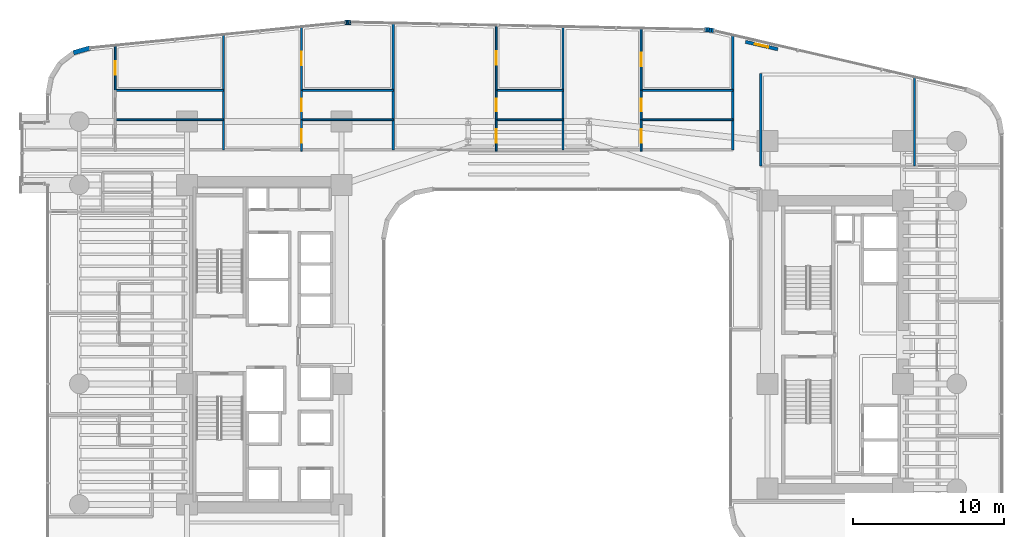
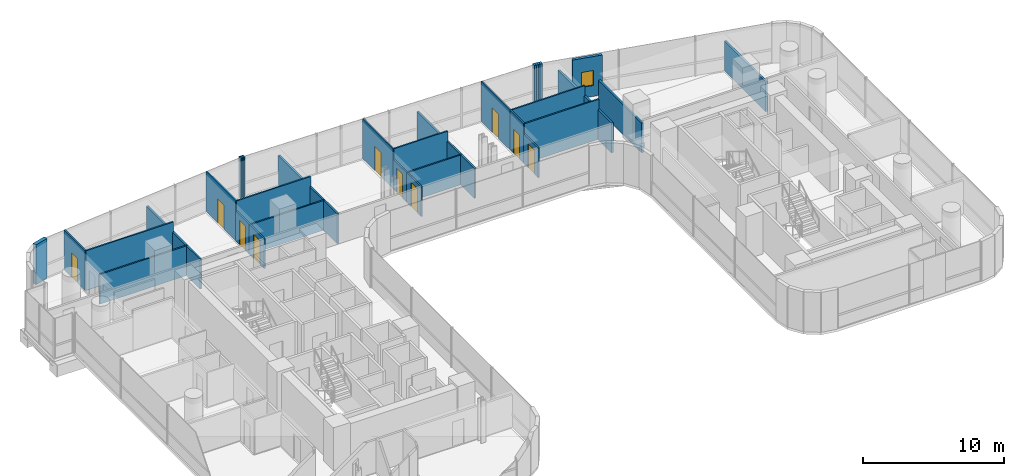
# One storey, part 35 of 42: 34 walls, 10 doors, 1 window, 11 openings.
"""IFC4 building model written with IfcOpenShell, lengths in metres."""

from ifc_helpers import new_model, si_unit, direction, frame, frame_2d, origin, place, context, subcontext, project, spatial, rectangle, extrude, material, layer, layer_set, type_object, element, fill, save


model = new_model("IFC4")

# Units and contexts
model_context = context("Model", 3, precision=1e-05, world=origin(), true_north=direction((0.0, 1.0)))
body_context = subcontext(model_context, "Body", "Model", "MODEL_VIEW")
ifc_project = project(units=[si_unit("LENGTHUNIT", "METRE"), si_unit("AREAUNIT", "SQUARE_METRE"), si_unit("VOLUMEUNIT", "CUBIC_METRE"), si_unit("PLANEANGLEUNIT", "RADIAN"), si_unit("MASSUNIT", "GRAM", prefix="KILO")], contexts=[model_context])

# Site, building, storey
site_placement = place(None, origin())
site = spatial("IfcSite", under=ifc_project, at=site_placement, CompositionType="ELEMENT")
building_placement = place(site_placement, origin())
building = spatial("IfcBuilding", under=site, at=building_placement, Name="Valdorenza Pilgrim Sanctuary Tower", CompositionType="ELEMENT")
storey_placement = place(building_placement, frame((0.0, 0.0, 55.60009765625)))
storey = spatial("IfcBuildingStorey", under=building, at=storey_placement, Name="L13", CompositionType="ELEMENT", Elevation=55.60009765625)

# Walls
ifc_material_1 = material(Name="Acoustic twin-stud gypsum partition", Category="gypsum")
ifc_layer_1 = layer(ifc_material_1, 0.159912109375, Name="Acoustic twin-stud gypsum partition")
ifc_layer_set_1 = layer_set([ifc_layer_1], Name="Acoustic twin-stud gypsum partition")
wall_type_1 = type_object("IfcWallType", Name="WAL-COR-160", PredefinedType="PARTITIONING", material=ifc_layer_set_1)
wall_1_placement = place(storey_placement, frame((13.550048828125, 12.919921875, 0.0), z_axis=(0.0, 0.0, 1.0), x_axis=(0.0, 1.0, 0.0)))
element("IfcWall", 1, at=wall_1_placement, inside=storey, type_object=wall_type_1, Name="L13 North Band East Closure", PredefinedType="PARTITIONING", context=body_context, shape_type="SweptSolid", body=[
    extrude(rectangle(XDim=7.609375, YDim=0.159912109375, at=frame_2d((3.8046875, 0.0))), origin(), (0.0, 0.0, 1.0), 2.5830078125),
])
wall_2_placement = place(storey_placement, frame((15.39990234375, 11.85009765625, 0.0), z_axis=(0.0, 0.0, 1.0), x_axis=(0.0, 1.0, 0.0)))
element("IfcWall", 2, at=wall_2_placement, inside=storey, type_object=wall_type_1, Name="L13 Wing B North West Wall", PredefinedType="PARTITIONING", context=body_context, shape_type="SweptSolid", body=[
    extrude(rectangle(XDim=6.14990234375, YDim=0.159912109375, at=frame_2d((3.074951171875, 0.0))), origin(), (0.0, 0.0, 1.0), 2.5830078125),
])
wall_3_placement = place(storey_placement, frame((25.60009765625, 11.85009765625, 0.0), z_axis=(0.0, 0.0, 1.0), x_axis=(0.0, 1.0, 0.0)))
element("IfcWall", 3, at=wall_3_placement, inside=storey, type_object=wall_type_1, Name="L13 Wing B North East Wall", PredefinedType="PARTITIONING", context=body_context, shape_type="SweptSolid", body=[
    extrude(rectangle(XDim=5.8984375, YDim=0.159912109375, at=frame_2d((2.94921875, 0.0))), origin(), (0.0, 0.0, 1.0), 2.5830078125),
])
ifc_material_2 = material(Name="Honed travertine limestone", Category="masonry")
ifc_layer_2 = layer(ifc_material_2, 0.300048828125, Name="Honed travertine limestone")
ifc_layer_set_2 = layer_set([ifc_layer_2], Name="Honed travertine limestone")
wall_type_2 = type_object("IfcWallType", Name="WAL-EXT-300", PredefinedType="SOLIDWALL", material=ifc_layer_set_2)
wall_4_placement = place(storey_placement, frame((-30.191650390625, 19.36083984375, 0.0), z_axis=(0.0, 0.0, 1.0), x_axis=(0.960071941549, 0.279753225271, 0.0)))
element("IfcWall", 4, at=wall_4_placement, inside=storey, type_object=wall_type_2, Name="L13 Rounded Wind-Corner Stone Pier 5", PredefinedType="SOLIDWALL", context=body_context, shape_type="SweptSolid", body=[
    extrude(rectangle(XDim=1.1396484375, YDim=0.300048828125, at=frame_2d((0.56982421875, 0.0))), origin(), (0.0, 0.0, 1.0), 3.4599609375),
])
wall_5_placement = place(storey_placement, frame((-12.181884765625, 21.371337890625, 0.0), z_axis=(0.0, 0.0, 1.0), x_axis=(0.996527790842, 0.08326080759, 0.0)))
element("IfcWall", 5, at=wall_5_placement, inside=storey, type_object=wall_type_2, Name="L13 Rounded Wind-Corner Stone Pier 7", PredefinedType="SOLIDWALL", context=body_context, shape_type="SweptSolid", body=[
    extrude(rectangle(XDim=0.09375, YDim=0.300048828125, at=frame_2d((0.046875, 0.0))), origin(), (0.0, 0.0, 1.0), 3.4599609375),
])
wall_6_placement = place(storey_placement, frame((-12.08837890625, 21.379150390625, 0.0), z_axis=(0.0, 0.0, 1.0), x_axis=(0.998476480444, 0.055178963393, 0.0)))
element("IfcWall", 6, at=wall_6_placement, inside=storey, type_object=wall_type_2, Name="L13 Rounded Wind-Corner Stone Pier 8", PredefinedType="SOLIDWALL", context=body_context, shape_type="SweptSolid", body=[
    extrude(rectangle(XDim=0.093017578125, YDim=0.300048828125, at=frame_2d((0.04638671875, 0.0))), origin(), (0.0, 0.0, 1.0), 3.4599609375),
])
wall_7_placement = place(storey_placement, frame((-11.99560546875, 21.38427734375, 0.0), z_axis=(0.0, 0.0, 1.0), x_axis=(0.999722573757, 0.023553673204, 0.0)))
element("IfcWall", 7, at=wall_7_placement, inside=storey, type_object=wall_type_2, Name="L13 Rounded Wind-Corner Stone Pier 9", PredefinedType="SOLIDWALL", context=body_context, shape_type="SweptSolid", body=[
    extrude(rectangle(XDim=0.09326171875, YDim=0.300048828125, at=frame_2d((0.046630859375, 0.0))), origin(), (0.0, 0.0, 1.0), 3.4599609375),
])
wall_8_placement = place(storey_placement, frame((-11.90234375, 21.386474609375, 0.0), z_axis=(0.0, 0.0, 1.0), x_axis=(0.999986507273, -0.005194735103, 0.0)))
element("IfcWall", 8, at=wall_8_placement, inside=storey, type_object=wall_type_2, Name="L13 Rounded Wind-Corner Stone Pier 10", PredefinedType="SOLIDWALL", context=body_context, shape_type="SweptSolid", body=[
    extrude(rectangle(XDim=0.093994140625, YDim=0.300048828125, at=frame_2d((0.046875, 0.0))), origin(), (0.0, 0.0, 1.0), 3.4599609375),
])
wall_9_placement = place(storey_placement, frame((11.665771484375, 20.89697265625, 0.0), z_axis=(0.0, 0.0, 1.0), x_axis=(0.998885297239, -0.047203421059, 0.0)))
element("IfcWall", 9, at=wall_9_placement, inside=storey, type_object=wall_type_2, Name="L13 Rounded Wind-Corner Stone Pier 12", PredefinedType="SOLIDWALL", context=body_context, shape_type="SweptSolid", body=[
    extrude(rectangle(XDim=0.160400390625, YDim=0.300048828125, at=frame_2d((0.080078125, 0.0))), origin(), (0.0, 0.0, 1.0), 3.4599609375),
])
wall_10_placement = place(storey_placement, frame((11.825927734375, 20.889404296875, 0.0), z_axis=(0.0, 0.0, 1.0), x_axis=(0.995172891136, -0.098137234257, 0.0)))
element("IfcWall", 10, at=wall_10_placement, inside=storey, type_object=wall_type_2, Name="L13 Rounded Wind-Corner Stone Pier 13", PredefinedType="SOLIDWALL", context=body_context, shape_type="SweptSolid", body=[
    extrude(rectangle(XDim=0.1591796875, YDim=0.300048828125, at=frame_2d((0.07958984375, 0.0))), origin(), (0.0, 0.0, 1.0), 3.4599609375),
])
wall_11_placement = place(storey_placement, frame((11.984375, 20.873779296875, 0.0), z_axis=(0.0, 0.0, 1.0), x_axis=(0.988846069207, -0.148941100486, 0.0)))
element("IfcWall", 11, at=wall_11_placement, inside=storey, type_object=wall_type_2, Name="L13 Rounded Wind-Corner Stone Pier 14", PredefinedType="SOLIDWALL", context=body_context, shape_type="SweptSolid", body=[
    extrude(rectangle(XDim=0.158935546875, YDim=0.300048828125, at=frame_2d((0.07958984375, 0.0))), origin(), (0.0, 0.0, 1.0), 3.4599609375),
])
wall_12_placement = place(storey_placement, frame((12.1416015625, 20.85009765625, 0.0), z_axis=(0.0, 0.0, 1.0), x_axis=(0.979991950448, -0.19903712482, 0.0)))
element("IfcWall", 12, at=wall_12_placement, inside=storey, type_object=wall_type_2, Name="L13 Rounded Wind-Corner Stone Pier 15", PredefinedType="SOLIDWALL", context=body_context, shape_type="SweptSolid", body=[
    extrude(rectangle(XDim=0.16064453125, YDim=0.300048828125, at=frame_2d((0.080322265625, 0.0))), origin(), (0.0, 0.0, 1.0), 3.4599609375),
])

# Wall, opening, window
wall_13_placement = place(storey_placement, frame((14.388671875, 20.089599609375, 0.0), z_axis=(0.0, 0.0, 1.0), x_axis=(0.974400545997, -0.224818984875, 0.0)))
wall_13 = element("IfcWall", 13, at=wall_13_placement, inside=storey, type_object=wall_type_2, Name="L13 Operable Ventilation Sash Jamb Pier", PredefinedType="SOLIDWALL", context=body_context, shape_type="SweptSolid", body=[
    extrude(rectangle(XDim=2.2001953125, YDim=0.219970703125, at=frame_2d((1.10009765625, 0.0))), origin(), (0.0, 0.0, 1.0), 3.4599609375),
])
opening_1_placement = place(wall_13_placement, frame((0.64990234375, 0.0, 0.949951171875)))
opening_1 = element("IfcOpeningElement", 14, at=opening_1_placement, cuts=wall_13, Name="Opening WN-OP1", PredefinedType="OPENING", context=body_context, shape_type="SweptSolid", body=[
    extrude(rectangle(XDim=0.89990234375, YDim=1.300048828125, at=frame_2d((0.449951171875, 0.64990234375))), frame((0.0, 0.125, 0.0), z_axis=(0.0, -1.0, 0.0), x_axis=(1.0, 0.0, 0.0)), (0.0, 0.0, 1.0), 0.249755859375),
])
ifc_material_3 = material(Name="Ceramic-fritted low-E IGU glazing", Category="glass")
window_type = type_object("IfcWindowType", Name="WIN-OPN-900", PartitioningType="SINGLE_PANEL", PredefinedType="WINDOW", material=ifc_material_3)
window_placement = place(opening_1_placement, origin())
window = element("IfcWindow", 15, at=window_placement, inside=storey, type_object=window_type, Name="L13 Parallel-Pop-Out Operable Facade Panel", OverallHeight=1.300048828125, OverallWidth=0.89990234375, PartitioningType="SINGLE_PANEL", PredefinedType="WINDOW", context=body_context, shape_type="SweptSolid", body=[
    extrude(rectangle(XDim=0.89990234375, YDim=1.300048828125, at=frame_2d((0.449951171875, 0.64990234375))), frame((0.0, 0.030029296875, 0.0), z_axis=(0.0, -1.0, 0.0), x_axis=(1.0, 0.0, 0.0)), (0.0, 0.0, 1.0), 0.06005859375),
])
fill(opening_1, window)

# Walls
ifc_material_4 = material(Name="Moisture-resistant gypsum partition", Category="gypsum")
ifc_layer_3 = layer(ifc_material_4, 0.1201171875, Name="Moisture-resistant gypsum partition")
ifc_layer_set_3 = layer_set([ifc_layer_3], Name="Moisture-resistant gypsum partition")
wall_type_3 = type_object("IfcWallType", Name="WAL-INT-120", PredefinedType="PARTITIONING", material=ifc_layer_set_3)
wall_14_placement = place(storey_placement, frame((-27.421142578125, 14.919921875, 0.0), z_axis=(0.0, 0.0, 1.0), x_axis=(1.0, 0.0, 0.0)))
element("IfcWall", 16, at=wall_14_placement, inside=storey, type_object=wall_type_3, Name="L13 North Sanctuary Apartment L13-N1 Bath-Kitchen Wall", PredefinedType="PARTITIONING", context=body_context, shape_type="SweptSolid", body=[
    extrude(rectangle(XDim=7.18310546875, YDim=0.1201171875, at=frame_2d((3.591552734375, 0.0))), origin(), (0.0, 0.0, 1.0), 2.5830078125),
])
wall_15_placement = place(storey_placement, frame((-27.421142578125, 16.8701171875, 0.0), z_axis=(0.0, 0.0, 1.0), x_axis=(1.0, 0.0, 0.0)))
element("IfcWall", 17, at=wall_15_placement, inside=storey, type_object=wall_type_3, Name="L13 North Sanctuary Apartment L13-N1 Kitchen-Bedroom Wall", PredefinedType="PARTITIONING", context=body_context, shape_type="SweptSolid", body=[
    extrude(rectangle(XDim=7.18310546875, YDim=0.1201171875, at=frame_2d((3.591552734375, 0.0))), origin(), (0.0, 0.0, 1.0), 3.4599609375),
])

# Wall, opening, door
wall_16_placement = place(storey_placement, frame((-27.421142578125, 16.8701171875, 0.0), z_axis=(0.0, 0.0, 1.0), x_axis=(0.0, 1.0, 0.0)))
wall_16 = element("IfcWall", 18, at=wall_16_placement, inside=storey, type_object=wall_type_3, Name="L13 North Sanctuary Apartment L13-N1 Bedroom Door Wall", PredefinedType="PARTITIONING", context=body_context, shape_type="SweptSolid", body=[
    extrude(rectangle(XDim=2.977294921875, YDim=0.1201171875, at=frame_2d((1.48876953125, 0.0))), origin(), (0.0, 0.0, 1.0), 3.4599609375),
])
opening_2_placement = place(wall_16_placement, frame((1.0390625, 0.0, 0.0)))
opening_2 = element("IfcOpeningElement", 19, at=opening_2_placement, cuts=wall_16, Name="Opening DR-RM1", PredefinedType="OPENING", context=body_context, shape_type="SweptSolid", body=[
    extrude(rectangle(XDim=0.89990234375, YDim=2.10009765625, at=frame_2d((0.449951171875, 1.050048828125))), frame((0.0, 0.074951171875, 0.0), z_axis=(0.0, -1.0, 0.0), x_axis=(1.0, 0.0, 0.0)), (0.0, 0.0, 1.0), 0.14990234375),
])
ifc_material_5 = material(Name="Solid-core European oak timber", Category="wood")
door_type_1 = type_object("IfcDoorType", Name="DR-ROOM-900", OperationType="NOTDEFINED", PredefinedType="DOOR", material=ifc_material_5)
door_1_placement = place(opening_2_placement, origin())
door_1 = element("IfcDoor", 20, at=door_1_placement, inside=storey, type_object=door_type_1, Name="L13 North Sanctuary Apartment L13-N1 Bedroom Door", OperationType="SINGLE_SWING_RIGHT", OverallHeight=2.10009765625, OverallWidth=0.89990234375, PredefinedType="DOOR", context=body_context, shape_type="SweptSolid", body=[
    extrude(rectangle(XDim=0.89990234375, YDim=2.10009765625, at=frame_2d((0.449951171875, 1.050048828125))), frame((0.0, 0.02490234375, 0.0), z_axis=(0.0, -1.0, 0.0), x_axis=(1.0, 0.0, 0.0)), (0.0, 0.0, 1.0), 0.050048828125),
])
fill(opening_2, door_1)

# Walls
wall_17_placement = place(storey_placement, frame((-15.056884765625, 14.919921875, 0.0), z_axis=(0.0, 0.0, 1.0), x_axis=(1.0, 0.0, 0.0)))
element("IfcWall", 21, at=wall_17_placement, inside=storey, type_object=wall_type_3, Name="L13 North Sanctuary Apartment L13-N2 Bath-Kitchen Wall", PredefinedType="PARTITIONING", context=body_context, shape_type="SweptSolid", body=[
    extrude(rectangle(XDim=6.081787109375, YDim=0.1201171875, at=frame_2d((3.041015625, 0.0))), origin(), (0.0, 0.0, 1.0), 2.5830078125),
])
wall_18_placement = place(storey_placement, frame((-15.056884765625, 16.8701171875, 0.0), z_axis=(0.0, 0.0, 1.0), x_axis=(1.0, 0.0, 0.0)))
element("IfcWall", 22, at=wall_18_placement, inside=storey, type_object=wall_type_3, Name="L13 North Sanctuary Apartment L13-N2 Kitchen-Bedroom Wall", PredefinedType="PARTITIONING", context=body_context, shape_type="SweptSolid", body=[
    extrude(rectangle(XDim=6.081787109375, YDim=0.1201171875, at=frame_2d((3.041015625, 0.0))), origin(), (0.0, 0.0, 1.0), 3.4599609375),
])

# Wall, opening, door
wall_19_placement = place(storey_placement, frame((-15.056884765625, 14.919921875, 0.0), z_axis=(0.0, 0.0, 1.0), x_axis=(0.0, 1.0, 0.0)))
wall_19 = element("IfcWall", 23, at=wall_19_placement, inside=storey, type_object=wall_type_3, Name="L13 North Sanctuary Apartment L13-N2 Bathroom Door Wall", PredefinedType="PARTITIONING", context=body_context, shape_type="SweptSolid", body=[
    extrude(rectangle(XDim=1.9501953125, YDim=0.1201171875, at=frame_2d((0.97509765625, 0.0))), origin(), (0.0, 0.0, 1.0), 2.5830078125),
])
opening_3_placement = place(wall_19_placement, frame((0.550048828125, 0.0, 0.0)))
opening_3 = element("IfcOpeningElement", 24, at=opening_3_placement, cuts=wall_19, Name="Opening DR-WC1", PredefinedType="OPENING", context=body_context, shape_type="SweptSolid", body=[
    extrude(rectangle(XDim=0.85009765625, YDim=2.10009765625, at=frame_2d((0.425048828125, 1.050048828125))), frame((0.0, 0.074951171875, 0.0), z_axis=(0.0, -1.0, 0.0), x_axis=(1.0, 0.0, 0.0)), (0.0, 0.0, 1.0), 0.14990234375),
])
ifc_material_6 = material(Name="Moisture-resistant lacquered timber", Category="wood")
door_type_2 = type_object("IfcDoorType", Name="DR-BATH-850", OperationType="NOTDEFINED", PredefinedType="DOOR", material=ifc_material_6)
door_2_placement = place(opening_3_placement, origin())
door_2 = element("IfcDoor", 25, at=door_2_placement, inside=storey, type_object=door_type_2, Name="L13 North Sanctuary Apartment L13-N2 Bathroom Door", OperationType="SINGLE_SWING_RIGHT", OverallHeight=2.10009765625, OverallWidth=0.85009765625, PredefinedType="DOOR", context=body_context, shape_type="SweptSolid", body=[
    extrude(rectangle(XDim=0.85009765625, YDim=2.10009765625, at=frame_2d((0.425048828125, 1.050048828125))), frame((0.0, 0.02490234375, 0.0), z_axis=(0.0, -1.0, 0.0), x_axis=(1.0, 0.0, 0.0)), (0.0, 0.0, 1.0), 0.050048828125),
])
fill(opening_3, door_2)

wall_20_placement = place(storey_placement, frame((-15.056884765625, 12.840087890625, 0.0), z_axis=(0.0, 0.0, 1.0), x_axis=(0.0, 1.0, 0.0)))
wall_20 = element("IfcWall", 26, at=wall_20_placement, inside=storey, type_object=wall_type_3, Name="L13 North Sanctuary Apartment L13-N2 Kitchen Door Wall", PredefinedType="PARTITIONING", context=body_context, shape_type="SweptSolid", body=[
    extrude(rectangle(XDim=2.079833984375, YDim=0.1201171875, at=frame_2d((1.0400390625, 0.0))), origin(), (0.0, 0.0, 1.0), 2.5830078125),
])
opening_4_placement = place(wall_20_placement, frame((0.550048828125, 0.0, 0.0)))
opening_4 = element("IfcOpeningElement", 27, at=opening_4_placement, cuts=wall_20, Name="Opening DR-RM1", PredefinedType="OPENING", context=body_context, shape_type="SweptSolid", body=[
    extrude(rectangle(XDim=0.89990234375, YDim=2.10009765625, at=frame_2d((0.449951171875, 1.050048828125))), frame((0.0, 0.074951171875, 0.0), z_axis=(0.0, -1.0, 0.0), x_axis=(1.0, 0.0, 0.0)), (0.0, 0.0, 1.0), 0.14990234375),
])
door_3_placement = place(opening_4_placement, origin())
door_3 = element("IfcDoor", 28, at=door_3_placement, inside=storey, type_object=door_type_1, Name="L13 North Sanctuary Apartment L13-N2 Kitchen Door", OperationType="SINGLE_SWING_LEFT", OverallHeight=2.10009765625, OverallWidth=0.89990234375, PredefinedType="DOOR", context=body_context, shape_type="SweptSolid", body=[
    extrude(rectangle(XDim=0.89990234375, YDim=2.10009765625, at=frame_2d((0.449951171875, 1.050048828125))), frame((0.0, 0.02490234375, 0.0), z_axis=(0.0, -1.0, 0.0), x_axis=(1.0, 0.0, 0.0)), (0.0, 0.0, 1.0), 0.050048828125),
])
fill(opening_4, door_3)

wall_21_placement = place(storey_placement, frame((-15.056884765625, 16.8701171875, 0.0), z_axis=(0.0, 0.0, 1.0), x_axis=(0.0, 1.0, 0.0)))
wall_21 = element("IfcWall", 29, at=wall_21_placement, inside=storey, type_object=wall_type_3, Name="L13 North Sanctuary Apartment L13-N2 Bedroom Door Wall", PredefinedType="PARTITIONING", context=body_context, shape_type="SweptSolid", body=[
    extrude(rectangle(XDim=4.213623046875, YDim=0.1201171875, at=frame_2d((2.10693359375, 0.0))), origin(), (0.0, 0.0, 1.0), 3.4599609375),
])
opening_5_placement = place(wall_21_placement, frame((1.656982421875, 0.0, 0.0)))
opening_5 = element("IfcOpeningElement", 30, at=opening_5_placement, cuts=wall_21, Name="Opening DR-RM1", PredefinedType="OPENING", context=body_context, shape_type="SweptSolid", body=[
    extrude(rectangle(XDim=0.89990234375, YDim=2.10009765625, at=frame_2d((0.449951171875, 1.050048828125))), frame((0.0, 0.074951171875, 0.0), z_axis=(0.0, -1.0, 0.0), x_axis=(1.0, 0.0, 0.0)), (0.0, 0.0, 1.0), 0.14990234375),
])
door_4_placement = place(opening_5_placement, origin())
door_4 = element("IfcDoor", 31, at=door_4_placement, inside=storey, type_object=door_type_1, Name="L13 North Sanctuary Apartment L13-N2 Bedroom Door", OperationType="SINGLE_SWING_RIGHT", OverallHeight=2.10009765625, OverallWidth=0.89990234375, PredefinedType="DOOR", context=body_context, shape_type="SweptSolid", body=[
    extrude(rectangle(XDim=0.89990234375, YDim=2.10009765625, at=frame_2d((0.449951171875, 1.050048828125))), frame((0.0, 0.02490234375, 0.0), z_axis=(0.0, -1.0, 0.0), x_axis=(1.0, 0.0, 0.0)), (0.0, 0.0, 1.0), 0.050048828125),
])
fill(opening_5, door_4)

# Walls
wall_22_placement = place(storey_placement, frame((-2.14453125, 14.919921875, 0.0), z_axis=(0.0, 0.0, 1.0), x_axis=(1.0, 0.0, 0.0)))
element("IfcWall", 32, at=wall_22_placement, inside=storey, type_object=wall_type_3, Name="L13 North Sanctuary Apartment L13-N3 Bath-Kitchen Wall", PredefinedType="PARTITIONING", context=body_context, shape_type="SweptSolid", body=[
    extrude(rectangle(XDim=4.431640625, YDim=0.1201171875, at=frame_2d((2.2158203125, 0.0))), origin(), (0.0, 0.0, 1.0), 2.5830078125),
])
wall_23_placement = place(storey_placement, frame((-2.14453125, 16.8701171875, 0.0), z_axis=(0.0, 0.0, 1.0), x_axis=(1.0, 0.0, 0.0)))
element("IfcWall", 33, at=wall_23_placement, inside=storey, type_object=wall_type_3, Name="L13 North Sanctuary Apartment L13-N3 Kitchen-Bedroom Wall", PredefinedType="PARTITIONING", context=body_context, shape_type="SweptSolid", body=[
    extrude(rectangle(XDim=4.431640625, YDim=0.1201171875, at=frame_2d((2.2158203125, 0.0))), origin(), (0.0, 0.0, 1.0), 3.4599609375),
])

# Wall, opening, door
wall_24_placement = place(storey_placement, frame((-2.14453125, 14.919921875, 0.0), z_axis=(0.0, 0.0, 1.0), x_axis=(0.0, 1.0, 0.0)))
wall_24 = element("IfcWall", 34, at=wall_24_placement, inside=storey, type_object=wall_type_3, Name="L13 North Sanctuary Apartment L13-N3 Bathroom Door Wall", PredefinedType="PARTITIONING", context=body_context, shape_type="SweptSolid", body=[
    extrude(rectangle(XDim=1.9501953125, YDim=0.1201171875, at=frame_2d((0.97509765625, 0.0))), origin(), (0.0, 0.0, 1.0), 2.5830078125),
])
opening_6_placement = place(wall_24_placement, frame((0.550048828125, 0.0, 0.0)))
opening_6 = element("IfcOpeningElement", 35, at=opening_6_placement, cuts=wall_24, Name="Opening DR-WC1", PredefinedType="OPENING", context=body_context, shape_type="SweptSolid", body=[
    extrude(rectangle(XDim=0.85009765625, YDim=2.10009765625, at=frame_2d((0.425048828125, 1.050048828125))), frame((0.0, 0.074951171875, 0.0), z_axis=(0.0, -1.0, 0.0), x_axis=(1.0, 0.0, 0.0)), (0.0, 0.0, 1.0), 0.14990234375),
])
door_5_placement = place(opening_6_placement, origin())
door_5 = element("IfcDoor", 36, at=door_5_placement, inside=storey, type_object=door_type_2, Name="L13 North Sanctuary Apartment L13-N3 Bathroom Door", OperationType="SINGLE_SWING_RIGHT", OverallHeight=2.10009765625, OverallWidth=0.85009765625, PredefinedType="DOOR", context=body_context, shape_type="SweptSolid", body=[
    extrude(rectangle(XDim=0.85009765625, YDim=2.10009765625, at=frame_2d((0.425048828125, 1.050048828125))), frame((0.0, 0.02490234375, 0.0), z_axis=(0.0, -1.0, 0.0), x_axis=(1.0, 0.0, 0.0)), (0.0, 0.0, 1.0), 0.050048828125),
])
fill(opening_6, door_5)

wall_25_placement = place(storey_placement, frame((-2.14453125, 12.840087890625, 0.0), z_axis=(0.0, 0.0, 1.0), x_axis=(0.0, 1.0, 0.0)))
wall_25 = element("IfcWall", 37, at=wall_25_placement, inside=storey, type_object=wall_type_3, Name="L13 North Sanctuary Apartment L13-N3 Kitchen Door Wall", PredefinedType="PARTITIONING", context=body_context, shape_type="SweptSolid", body=[
    extrude(rectangle(XDim=2.079833984375, YDim=0.1201171875, at=frame_2d((1.0400390625, 0.0))), origin(), (0.0, 0.0, 1.0), 2.5830078125),
])
opening_7_placement = place(wall_25_placement, frame((0.550048828125, 0.0, 0.0)))
opening_7 = element("IfcOpeningElement", 38, at=opening_7_placement, cuts=wall_25, Name="Opening DR-RM1", PredefinedType="OPENING", context=body_context, shape_type="SweptSolid", body=[
    extrude(rectangle(XDim=0.89990234375, YDim=2.10009765625, at=frame_2d((0.449951171875, 1.050048828125))), frame((0.0, 0.074951171875, 0.0), z_axis=(0.0, -1.0, 0.0), x_axis=(1.0, 0.0, 0.0)), (0.0, 0.0, 1.0), 0.14990234375),
])
door_6_placement = place(opening_7_placement, origin())
door_6 = element("IfcDoor", 39, at=door_6_placement, inside=storey, type_object=door_type_1, Name="L13 North Sanctuary Apartment L13-N3 Kitchen Door", OperationType="SINGLE_SWING_LEFT", OverallHeight=2.10009765625, OverallWidth=0.89990234375, PredefinedType="DOOR", context=body_context, shape_type="SweptSolid", body=[
    extrude(rectangle(XDim=0.89990234375, YDim=2.10009765625, at=frame_2d((0.449951171875, 1.050048828125))), frame((0.0, 0.02490234375, 0.0), z_axis=(0.0, -1.0, 0.0), x_axis=(1.0, 0.0, 0.0)), (0.0, 0.0, 1.0), 0.050048828125),
])
fill(opening_7, door_6)

wall_26_placement = place(storey_placement, frame((-2.14453125, 16.8701171875, 0.0), z_axis=(0.0, 0.0, 1.0), x_axis=(0.0, 1.0, 0.0)))
wall_26 = element("IfcWall", 40, at=wall_26_placement, inside=storey, type_object=wall_type_3, Name="L13 North Sanctuary Apartment L13-N3 Bedroom Door Wall", PredefinedType="PARTITIONING", context=body_context, shape_type="SweptSolid", body=[
    extrude(rectangle(XDim=4.314697265625, YDim=0.1201171875, at=frame_2d((2.1572265625, 0.0))), origin(), (0.0, 0.0, 1.0), 3.4599609375),
])
opening_8_placement = place(wall_26_placement, frame((1.70703125, 0.0, 0.0)))
opening_8 = element("IfcOpeningElement", 41, at=opening_8_placement, cuts=wall_26, Name="Opening DR-RM1", PredefinedType="OPENING", context=body_context, shape_type="SweptSolid", body=[
    extrude(rectangle(XDim=0.89990234375, YDim=2.10009765625, at=frame_2d((0.449951171875, 1.050048828125))), frame((0.0, 0.074951171875, 0.0), z_axis=(0.0, -1.0, 0.0), x_axis=(1.0, 0.0, 0.0)), (0.0, 0.0, 1.0), 0.14990234375),
])
door_7_placement = place(opening_8_placement, origin())
door_7 = element("IfcDoor", 42, at=door_7_placement, inside=storey, type_object=door_type_1, Name="L13 North Sanctuary Apartment L13-N3 Bedroom Door", OperationType="SINGLE_SWING_RIGHT", OverallHeight=2.10009765625, OverallWidth=0.89990234375, PredefinedType="DOOR", context=body_context, shape_type="SweptSolid", body=[
    extrude(rectangle(XDim=0.89990234375, YDim=2.10009765625, at=frame_2d((0.449951171875, 1.050048828125))), frame((0.0, 0.02490234375, 0.0), z_axis=(0.0, -1.0, 0.0), x_axis=(1.0, 0.0, 0.0)), (0.0, 0.0, 1.0), 0.050048828125),
])
fill(opening_8, door_7)

# Walls
for number, where, z_axis, x_axis, name in (
    (43, (7.468017578125, 14.919921875, 0.0), (0.0, 0.0, 1.0), (1.0, 0.0, 0.0), "L13 North Sanctuary Apartment L13-N4 Bath-Kitchen Wall"),
    (44, (7.468017578125, 16.8701171875, 0.0), (0.0, 0.0, 1.0), (1.0, 0.0, 0.0), "L13 North Sanctuary Apartment L13-N4 Kitchen-Bedroom Wall"),
):
    element("IfcWall", number, at=place(storey_placement, frame(where, z_axis=z_axis, x_axis=x_axis)), inside=storey, type_object=wall_type_3, Name=name, PredefinedType="PARTITIONING", context=body_context, shape_type="SweptSolid", body=[
        extrude(rectangle(XDim=6.08203125, YDim=0.1201171875, at=frame_2d((3.041015625, 0.0))), origin(), (0.0, 0.0, 1.0), 3.4599609375),
    ])

# Wall, opening, door
wall_27_placement = place(storey_placement, frame((7.468017578125, 14.919921875, 0.0), z_axis=(0.0, 0.0, 1.0), x_axis=(0.0, 1.0, 0.0)))
wall_27 = element("IfcWall", 45, at=wall_27_placement, inside=storey, type_object=wall_type_3, Name="L13 North Sanctuary Apartment L13-N4 Bathroom Door Wall", PredefinedType="PARTITIONING", context=body_context, shape_type="SweptSolid", body=[
    extrude(rectangle(XDim=1.9501953125, YDim=0.1201171875, at=frame_2d((0.97509765625, 0.0))), origin(), (0.0, 0.0, 1.0), 3.4599609375),
])
opening_9_placement = place(wall_27_placement, frame((0.550048828125, 0.0, 0.0)))
opening_9 = element("IfcOpeningElement", 46, at=opening_9_placement, cuts=wall_27, Name="Opening DR-WC1", PredefinedType="OPENING", context=body_context, shape_type="SweptSolid", body=[
    extrude(rectangle(XDim=0.85009765625, YDim=2.10009765625, at=frame_2d((0.425048828125, 1.050048828125))), frame((0.0, 0.074951171875, 0.0), z_axis=(0.0, -1.0, 0.0), x_axis=(1.0, 0.0, 0.0)), (0.0, 0.0, 1.0), 0.14990234375),
])
door_8_placement = place(opening_9_placement, origin())
door_8 = element("IfcDoor", 47, at=door_8_placement, inside=storey, type_object=door_type_2, Name="L13 North Sanctuary Apartment L13-N4 Bathroom Door", OperationType="SINGLE_SWING_RIGHT", OverallHeight=2.10009765625, OverallWidth=0.85009765625, PredefinedType="DOOR", context=body_context, shape_type="SweptSolid", body=[
    extrude(rectangle(XDim=0.85009765625, YDim=2.10009765625, at=frame_2d((0.425048828125, 1.050048828125))), frame((0.0, 0.02490234375, 0.0), z_axis=(0.0, -1.0, 0.0), x_axis=(1.0, 0.0, 0.0)), (0.0, 0.0, 1.0), 0.050048828125),
])
fill(opening_9, door_8)

wall_28_placement = place(storey_placement, frame((7.468017578125, 12.840087890625, 0.0), z_axis=(0.0, 0.0, 1.0), x_axis=(0.0, 1.0, 0.0)))
wall_28 = element("IfcWall", 48, at=wall_28_placement, inside=storey, type_object=wall_type_3, Name="L13 North Sanctuary Apartment L13-N4 Kitchen Door Wall", PredefinedType="PARTITIONING", context=body_context, shape_type="SweptSolid", body=[
    extrude(rectangle(XDim=2.079833984375, YDim=0.1201171875, at=frame_2d((1.0400390625, 0.0))), origin(), (0.0, 0.0, 1.0), 2.5830078125),
])
opening_10_placement = place(wall_28_placement, frame((0.550048828125, 0.0, 0.0)))
opening_10 = element("IfcOpeningElement", 49, at=opening_10_placement, cuts=wall_28, Name="Opening DR-RM1", PredefinedType="OPENING", context=body_context, shape_type="SweptSolid", body=[
    extrude(rectangle(XDim=0.89990234375, YDim=2.10009765625, at=frame_2d((0.449951171875, 1.050048828125))), frame((0.0, 0.074951171875, 0.0), z_axis=(0.0, -1.0, 0.0), x_axis=(1.0, 0.0, 0.0)), (0.0, 0.0, 1.0), 0.14990234375),
])
door_9_placement = place(opening_10_placement, origin())
door_9 = element("IfcDoor", 50, at=door_9_placement, inside=storey, type_object=door_type_1, Name="L13 North Sanctuary Apartment L13-N4 Kitchen Door", OperationType="SINGLE_SWING_LEFT", OverallHeight=2.10009765625, OverallWidth=0.89990234375, PredefinedType="DOOR", context=body_context, shape_type="SweptSolid", body=[
    extrude(rectangle(XDim=0.89990234375, YDim=2.10009765625, at=frame_2d((0.449951171875, 1.050048828125))), frame((0.0, 0.02490234375, 0.0), z_axis=(0.0, -1.0, 0.0), x_axis=(1.0, 0.0, 0.0)), (0.0, 0.0, 1.0), 0.050048828125),
])
fill(opening_10, door_9)

wall_29_placement = place(storey_placement, frame((7.468017578125, 16.8701171875, 0.0), z_axis=(0.0, 0.0, 1.0), x_axis=(0.0, 1.0, 0.0)))
wall_29 = element("IfcWall", 51, at=wall_29_placement, inside=storey, type_object=wall_type_3, Name="L13 North Sanctuary Apartment L13-N4 Bedroom Door Wall", PredefinedType="PARTITIONING", context=body_context, shape_type="SweptSolid", body=[
    extrude(rectangle(XDim=4.1142578125, YDim=0.1201171875, at=frame_2d((2.05712890625, 0.0))), origin(), (0.0, 0.0, 1.0), 3.4599609375),
])
opening_11_placement = place(wall_29_placement, frame((1.60693359375, 0.0, 0.0)))
opening_11 = element("IfcOpeningElement", 52, at=opening_11_placement, cuts=wall_29, Name="Opening DR-RM1", PredefinedType="OPENING", context=body_context, shape_type="SweptSolid", body=[
    extrude(rectangle(XDim=0.89990234375, YDim=2.10009765625, at=frame_2d((0.449951171875, 1.050048828125))), frame((0.0, 0.074951171875, 0.0), z_axis=(0.0, -1.0, 0.0), x_axis=(1.0, 0.0, 0.0)), (0.0, 0.0, 1.0), 0.14990234375),
])
door_10_placement = place(opening_11_placement, origin())
door_10 = element("IfcDoor", 53, at=door_10_placement, inside=storey, type_object=door_type_1, Name="L13 North Sanctuary Apartment L13-N4 Bedroom Door", OperationType="SINGLE_SWING_RIGHT", OverallHeight=2.10009765625, OverallWidth=0.89990234375, PredefinedType="DOOR", context=body_context, shape_type="SweptSolid", body=[
    extrude(rectangle(XDim=0.89990234375, YDim=2.10009765625, at=frame_2d((0.449951171875, 1.050048828125))), frame((0.0, 0.02490234375, 0.0), z_axis=(0.0, -1.0, 0.0), x_axis=(1.0, 0.0, 0.0)), (0.0, 0.0, 1.0), 0.050048828125),
])
fill(opening_11, door_10)

# Walls
ifc_layer_4 = layer(ifc_material_1, 0.14990234375, Name="Acoustic twin-stud gypsum partition")
ifc_layer_set_4 = layer_set([ifc_layer_4], Name="Acoustic twin-stud gypsum partition")
wall_type_4 = type_object("IfcWallType", Name="WAL-UNT-150", PredefinedType="PARTITIONING", material=ifc_layer_set_4)
wall_30_placement = place(storey_placement, frame((-20.238037109375, 12.919921875, 0.0), z_axis=(0.0, 0.0, 1.0), x_axis=(0.0, 1.0, 0.0)))
element("IfcWall", 54, at=wall_30_placement, inside=storey, type_object=wall_type_4, Name="L13 North Apt Demising 1", PredefinedType="PARTITIONING", context=body_context, shape_type="SweptSolid", body=[
    extrude(rectangle(XDim=7.645751953125, YDim=0.14990234375, at=frame_2d((3.82275390625, 0.0))), origin(), (0.0, 0.0, 1.0), 2.5830078125),
])
wall_31_placement = place(storey_placement, frame((-8.97509765625, 12.919921875, 0.0), z_axis=(0.0, 0.0, 1.0), x_axis=(0.0, 1.0, 0.0)))
element("IfcWall", 55, at=wall_31_placement, inside=storey, type_object=wall_type_4, Name="L13 North Apt Demising 2", PredefinedType="PARTITIONING", context=body_context, shape_type="SweptSolid", body=[
    extrude(rectangle(XDim=8.406982421875, YDim=0.14990234375, at=frame_2d((4.20361328125, 0.0))), origin(), (0.0, 0.0, 1.0), 2.5830078125),
])
wall_32_placement = place(storey_placement, frame((2.287109375, 12.919921875, 0.0), z_axis=(0.0, 0.0, 1.0), x_axis=(0.0, 1.0, 0.0)))
element("IfcWall", 56, at=wall_32_placement, inside=storey, type_object=wall_type_4, Name="L13 North Apt Demising 3", PredefinedType="PARTITIONING", context=body_context, shape_type="SweptSolid", body=[
    extrude(rectangle(XDim=8.17236328125, YDim=0.14990234375, at=frame_2d((4.086181640625, 0.0))), origin(), (0.0, 0.0, 1.0), 2.5830078125),
])

save(model, "model.ifc")
